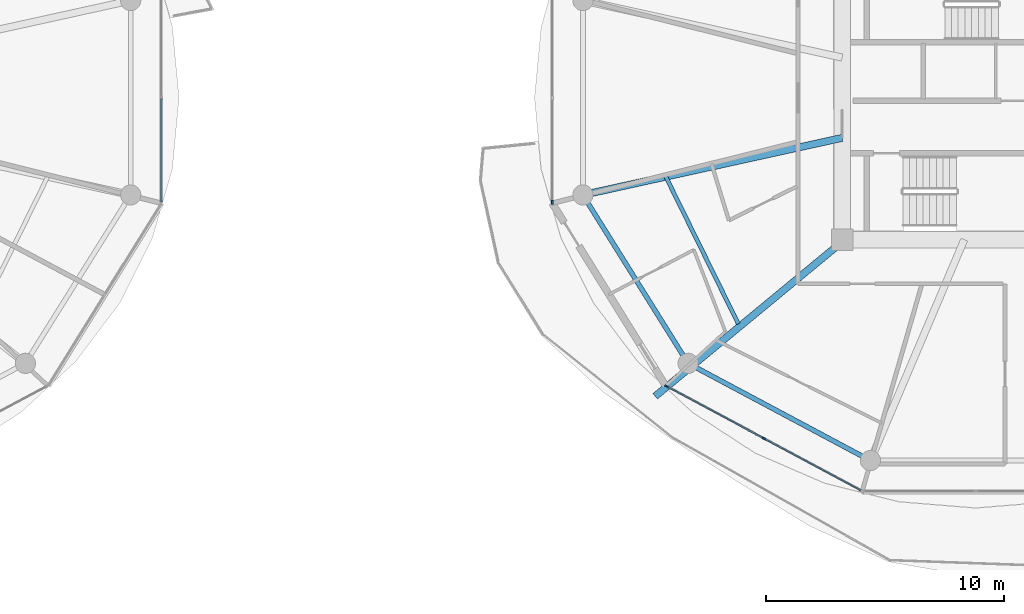
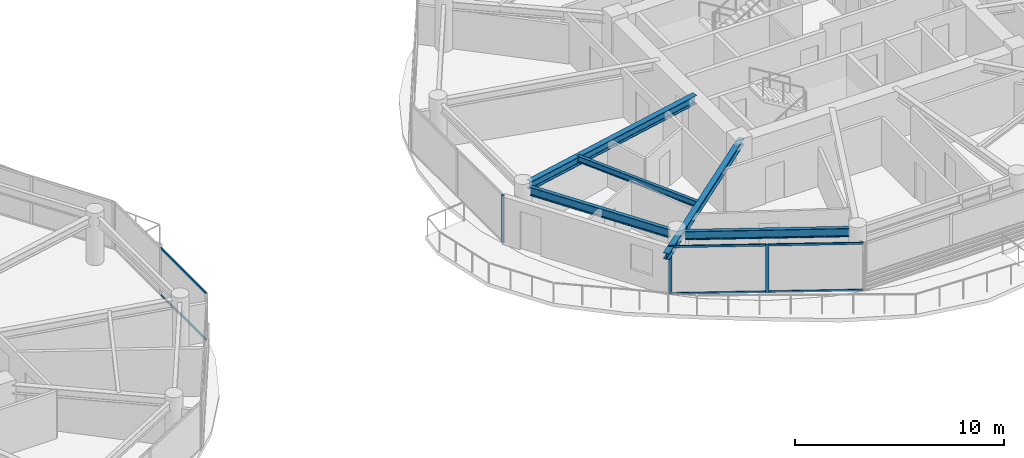
# One storey, part 6 of 23: 9 members, 5 beams, 3 elements without a shape of their own.
"""IFC4 building model written with IfcOpenShell, lengths in metres."""

from ifc_helpers import new_model, si_unit, direction, frame, origin, origin_2d, place, context, subcontext, project, spatial, rectangle, i_section, extrude, source, transform, mapped, material, layer, layer_set, material_profile, profile_set, type_object, type_shapes, element, aggregate, save


model = new_model("IFC4")

# Units and contexts
model_context = context("Model", 3, precision=1e-05, world=origin(), true_north=direction((0.0, 1.0)))
body_context = subcontext(model_context, "Body", "Model", "MODEL_VIEW")
ifc_project = project(units=[si_unit("LENGTHUNIT", "METRE"), si_unit("AREAUNIT", "SQUARE_METRE"), si_unit("VOLUMEUNIT", "CUBIC_METRE"), si_unit("PLANEANGLEUNIT", "RADIAN"), si_unit("MASSUNIT", "GRAM", prefix="KILO")], contexts=[model_context])

# Site, building, storey
site_placement = place(None, origin())
site = spatial("IfcSite", under=ifc_project, at=site_placement, CompositionType="ELEMENT")
building_placement = place(site_placement, origin())
building = spatial("IfcBuilding", under=site, at=building_placement, Name="Norrkilde Senior Care Towers", CompositionType="ELEMENT")
storey_placement = place(building_placement, frame((0.0, 0.0, 81.0)))
storey = spatial("IfcBuildingStorey", under=building, at=storey_placement, Name="L24", CompositionType="ELEMENT", Elevation=81.0)

# Beams
ifc_material_1 = material(Name="Steel S355", Category="steel")
ifc_material_profile_1 = material_profile(ifc_material_1, i_section(OverallWidth=0.199951171875, OverallDepth=0.5, WebThickness=0.01025390625, FlangeThickness=0.01611328125, FilletRadius=0.02099609375, at=origin_2d()), Name="IPE 500")
ifc_profile_set_1 = profile_set([ifc_material_profile_1], Name="Steel S355")
beam_type_1 = type_object("IfcBeamType", Name="Perimeter Ring Spandrel Z2 IPE500", PredefinedType="SPANDREL", material=ifc_profile_set_1)
shared_shape_1 = source(origin(), body_context, "Body", "SweptSolid", [
    extrude(i_section(OverallWidth=0.199951171875, OverallDepth=0.5, WebThickness=0.01025390625, FlangeThickness=0.01611328125, FilletRadius=0.02099609375, at=origin_2d()), origin(), (0.0, 0.0, 1.0), 7.55615234375),
])
beam_1_placement = place(storey_placement, frame((9.68505859375, -4.40283203125, 2.5400390625), z_axis=(0.529981514254, -0.848009194849, 0.0), x_axis=(0.848009194849, 0.529981514254, 0.0)))
element("IfcBeam", 1, at=beam_1_placement, inside=storey, type_object=beam_type_1, Name="L24 Drum E Perimeter Spandrel 07", PredefinedType="SPANDREL", context=body_context, shape_type="MappedRepresentation", body=[
    mapped(shared_shape_1, transform((0.0, 0.0, 0.0), x_axis=(1.0, 0.0, 0.0), y_axis=(0.0, 1.0, 0.0), z_axis=(0.0, 0.0, 1.0), scale=1.0)),
])
ifc_material_profile_2 = material_profile(ifc_material_1, i_section(OverallWidth=0.300048828125, OverallDepth=0.5, WebThickness=0.014404296875, FlangeThickness=0.028076171875, FilletRadius=0.027099609375, at=origin_2d()), Name="HEB 500")
ifc_profile_set_2 = profile_set([ifc_material_profile_2], Name="Steel S355")
beam_type_2 = type_object("IfcBeamType", Name="Radial Floor Beam Z2 HEB500", PredefinedType="BEAM", material=ifc_profile_set_2)
shared_shape_2 = source(origin(), body_context, "Body", "SweptSolid", [
    extrude(i_section(OverallWidth=0.300048828125, OverallDepth=0.5, WebThickness=0.014404296875, FlangeThickness=0.028076171875, FilletRadius=0.027099609375, at=origin_2d()), origin(), (0.0, 0.0, 1.0), 10.744384765625),
])
type_shapes(beam_type_2, [shared_shape_2])
beam_2_placement = place(storey_placement, frame((20.35009765625, -1.683837890625, 2.5400390625), z_axis=(-0.976618711422, -0.214978818724, 0.0), x_axis=(0.214978818724, -0.976618711422, 0.0)))
element("IfcBeam", 2, at=beam_2_placement, inside=storey, type_object=beam_type_2, Name="L24 Drum E Radial Floor Beam 07", PredefinedType="BEAM", context=body_context, shape_type="MappedRepresentation", body=[
    mapped(shared_shape_2, transform((0.0, 0.0, 0.0), x_axis=(1.0, 0.0, 0.0), y_axis=(0.0, 1.0, 0.0), z_axis=(0.0, 0.0, 1.0), scale=1.0)),
])
shared_shape_3 = source(origin(), body_context, "Body", "SweptSolid", [
    extrude(i_section(OverallWidth=0.199951171875, OverallDepth=0.5, WebThickness=0.01025390625, FlangeThickness=0.01611328125, FilletRadius=0.02099609375, at=origin_2d()), origin(), (0.0, 0.0, 1.0), 7.892333984375),
])
type_shapes(beam_type_1, [shared_shape_1, shared_shape_3])
beam_3_placement = place(storey_placement, frame((14.233642578125, -11.318115234375, 2.5400390625), z_axis=(0.882350372282, -0.47059305194, 0.0), x_axis=(0.47059305194, 0.882350372282, 0.0)))
element("IfcBeam", 3, at=beam_3_placement, inside=storey, type_object=beam_type_1, Name="L24 Drum E Perimeter Spandrel 08", PredefinedType="SPANDREL", context=body_context, shape_type="MappedRepresentation", body=[
    mapped(shared_shape_3, transform((0.0, 0.0, 0.0), x_axis=(1.0, 0.0, 0.0), y_axis=(0.0, 1.0, 0.0), z_axis=(0.0, 0.0, 1.0), scale=1.0)),
])
ifc_material_profile_3 = material_profile(ifc_material_1, i_section(OverallWidth=0.169921875, OverallDepth=0.360107421875, WebThickness=0.008056640625, FlangeThickness=0.0126953125, FilletRadius=0.01806640625, at=origin_2d()), Name="IPE 360")
ifc_profile_set_3 = profile_set([ifc_material_profile_3], Name="Steel S355")
beam_type_3 = type_object("IfcBeamType", Name="Secondary Floor Joist IPE360", PredefinedType="JOIST", material=ifc_profile_set_3)
shared_shape_4 = source(origin(), body_context, "Body", "SweptSolid", [
    extrude(i_section(OverallWidth=0.169921875, OverallDepth=0.360107421875, WebThickness=0.008056640625, FlangeThickness=0.0126953125, FilletRadius=0.01806640625, at=origin_2d()), origin(), (0.0, 0.0, 1.0), 6.87353515625),
])
type_shapes(beam_type_3, [shared_shape_4])
beam_4_placement = place(storey_placement, frame((12.958984375, -3.310791015625, 2.610107421875), z_axis=(0.44184939592, -0.897089243791, 0.0), x_axis=(0.897089243791, 0.44184939592, 0.0)))
element("IfcBeam", 4, at=beam_4_placement, inside=storey, type_object=beam_type_3, Name="L24 Drum E Secondary Floor Joist 3", PredefinedType="JOIST", context=body_context, shape_type="MappedRepresentation", body=[
    mapped(shared_shape_4, transform((0.0, 0.0, 0.0), x_axis=(1.0, 0.0, 0.0), y_axis=(0.0, 1.0, 0.0), z_axis=(0.0, 0.0, 1.0), scale=1.0)),
])
ifc_material_profile_4 = material_profile(ifc_material_1, i_section(OverallWidth=0.300048828125, OverallDepth=0.360107421875, WebThickness=0.012451171875, FlangeThickness=0.0224609375, FilletRadius=0.027099609375, at=origin_2d()), Name="HEB 360")
ifc_profile_set_4 = profile_set([ifc_material_profile_4], Name="Steel S355")
beam_type_4 = type_object("IfcBeamType", Name="Balcony Crest Cantilever Rib HEB360", PredefinedType="BEAM", material=ifc_profile_set_4)
shared_shape_5 = source(origin(), body_context, "Body", "SweptSolid", [
    extrude(i_section(OverallWidth=0.300048828125, OverallDepth=0.360107421875, WebThickness=0.012451171875, FlangeThickness=0.0224609375, FilletRadius=0.027099609375, at=origin_2d()), origin(), (0.0, 0.0, 1.0), 10.309814453125),
])
type_shapes(beam_type_4, [shared_shape_5])
beam_5_placement = place(storey_placement, frame((20.463623046875, -5.949951171875, 2.610107421875), z_axis=(-0.770981972586, -0.636856968202, 0.0), x_axis=(0.636856968202, -0.770981972586, 0.0)))
element("IfcBeam", 5, at=beam_5_placement, inside=storey, type_object=beam_type_4, Name="L24 Drum E Balcony Cantilever Rib", PredefinedType="BEAM", context=body_context, shape_type="MappedRepresentation", body=[
    mapped(shared_shape_5, transform((0.0, 0.0, 0.0), x_axis=(1.0, 0.0, 0.0), y_axis=(0.0, 1.0, 0.0), z_axis=(0.0, 0.0, 1.0), scale=1.0)),
])

# Curtain wall, member
ifc_material_2 = material(Name="Triple Low-E Insulated Glazing", Category="glass")
ifc_layer = layer(ifc_material_2, 0.195068359375)
ifc_layer_set = layer_set([ifc_layer], Name="Triple Low-E Insulated Glazing")
curtain_wall_type = type_object("IfcCurtainWallType", Name="CW3 Zone 2 Assisted Living Curtain Wall", PredefinedType="NOTDEFINED", material=ifc_layer_set)
curtain_wall_1_placement = place(storey_placement, origin())
curtain_wall_1 = element("IfcCurtainWall", 6, at=curtain_wall_1_placement, inside=storey, type_object=curtain_wall_type, Name="L24 Drum E Curtain Wall 05", PredefinedType="NOTDEFINED")
ifc_material_3 = material(Name="Anodised Aluminium", Category="aluminium")
ifc_material_profile_5 = material_profile(ifc_material_3, rectangle(XDim=0.06494140625, YDim=0.159912109375, at=origin_2d()), Name="ALU MULL 65x160")
ifc_profile_set_5 = profile_set([ifc_material_profile_5], Name="Anodised Aluminium")
member_type_1 = type_object("IfcMemberType", Name="Curtain Wall Mullion Z1-Z2 65x160", PredefinedType="MULLION", material=ifc_profile_set_5)
shared_shape_6 = source(origin(), body_context, "Body", "SweptSolid", [
    extrude(rectangle(XDim=0.06494140625, YDim=0.159912109375, at=origin_2d()), origin(), (0.0, 0.0, 1.0), 2.7900390625),
])
type_shapes(member_type_1, [shared_shape_6])
member_1_placement = place(storey_placement, frame((8.1962890625, -4.38818359375, 0.0), z_axis=(0.0, 0.0, 1.0), x_axis=(-1.0, 0.0, 0.0)))
member_1 = element("IfcMember", 7, at=member_1_placement, type_object=member_type_1, Name="CW-3 mullion 1", PredefinedType="MULLION", context=body_context, shape_type="MappedRepresentation", body=[
    mapped(shared_shape_6, transform((0.0, 0.0, 0.0), x_axis=(1.0, 0.0, 0.0), y_axis=(0.0, 1.0, 0.0), z_axis=(0.0, 0.0, 1.0), scale=1.0)),
])
aggregate(curtain_wall_1, [member_1])

# Curtain wall, members
curtain_wall_2_placement = place(storey_placement, origin())
curtain_wall_2 = element("IfcCurtainWall", 8, at=curtain_wall_2_placement, inside=storey, type_object=curtain_wall_type, Name="L24 Drum E Curtain Wall 07", PredefinedType="NOTDEFINED")
member_2_placement = place(storey_placement, frame((17.0732421875, -14.28759765625, 0.0), z_axis=(0.0, 0.0, 1.0), x_axis=(-0.472769402511, -0.881186184668, 0.0)))
member_2 = element("IfcMember", 9, at=member_2_placement, type_object=member_type_1, Name="CW-3 mullion 2", PredefinedType="MULLION", context=body_context, shape_type="MappedRepresentation", body=[
    mapped(shared_shape_6, transform((0.0, 0.0, 0.0), x_axis=(1.0, 0.0, 0.0), y_axis=(0.0, 1.0, 0.0), z_axis=(0.0, 0.0, 1.0), scale=1.0)),
])
member_3_placement = place(storey_placement, frame((12.98193359375, -12.0927734375, 0.0), z_axis=(0.0, 0.0, 1.0), x_axis=(-0.472769402511, -0.881186184668, 0.0)))
member_3 = element("IfcMember", 10, at=member_3_placement, type_object=member_type_1, Name="CW-3 mullion 3", PredefinedType="MULLION", context=body_context, shape_type="MappedRepresentation", body=[
    mapped(shared_shape_6, transform((0.0, 0.0, 0.0), x_axis=(1.0, 0.0, 0.0), y_axis=(0.0, 1.0, 0.0), z_axis=(0.0, 0.0, 1.0), scale=1.0)),
])
ifc_material_profile_6 = material_profile(ifc_material_3, rectangle(XDim=0.06005859375, YDim=0.1201171875, at=origin_2d()), Name="ALU TRAN 60x120")
ifc_profile_set_6 = profile_set([ifc_material_profile_6], Name="Anodised Aluminium")
member_type_2 = type_object("IfcMemberType", Name="Curtain Wall Transom Typical 60x120", PredefinedType="USERDEFINED", material=ifc_profile_set_6)
shared_shape_7 = source(origin(), body_context, "Body", "SweptSolid", [
    extrude(rectangle(XDim=0.06005859375, YDim=0.1201171875, at=origin_2d()), origin(), (0.0, 0.0, 1.0), 4.57763671875),
])
member_4_placement = place(storey_placement, frame((17.04443359375, -14.272216796875, 0.030029296875), z_axis=(-0.881192784018, 0.472757101897, 0.0), x_axis=(-0.472757101897, -0.881192784018, 0.0)))
member_4 = element("IfcMember", 11, at=member_4_placement, type_object=member_type_2, Name="CW-3 transom 2.1", ObjectType="TRANSOM", PredefinedType="USERDEFINED", context=body_context, shape_type="MappedRepresentation", body=[
    mapped(shared_shape_7, transform((0.0, 0.0, 0.0), x_axis=(1.0, 0.0, 0.0), y_axis=(0.0, 1.0, 0.0), z_axis=(0.0, 0.0, 1.0), scale=1.0)),
])
member_5_placement = place(storey_placement, frame((17.04443359375, -14.272216796875, 2.760009765625), z_axis=(-0.881192784018, 0.472757101897, 0.0), x_axis=(-0.472757101897, -0.881192784018, 0.0)))
member_5 = element("IfcMember", 12, at=member_5_placement, type_object=member_type_2, Name="CW-3 transom 2.2", ObjectType="TRANSOM", PredefinedType="USERDEFINED", context=body_context, shape_type="MappedRepresentation", body=[
    mapped(shared_shape_7, transform((0.0, 0.0, 0.0), x_axis=(1.0, 0.0, 0.0), y_axis=(0.0, 1.0, 0.0), z_axis=(0.0, 0.0, 1.0), scale=1.0)),
])
shared_shape_8 = source(origin(), body_context, "Body", "SweptSolid", [
    extrude(rectangle(XDim=0.06005859375, YDim=0.1201171875, at=origin_2d()), origin(), (0.0, 0.0, 1.0), 4.577880859375),
])
member_6_placement = place(storey_placement, frame((21.1357421875, -16.46728515625, 0.030029296875), z_axis=(-0.881182486146, 0.472776296053, 0.0), x_axis=(-0.472776296053, -0.881182486146, 0.0)))
member_6 = element("IfcMember", 13, at=member_6_placement, type_object=member_type_2, Name="CW-3 transom 1.1", ObjectType="TRANSOM", PredefinedType="USERDEFINED", context=body_context, shape_type="MappedRepresentation", body=[
    mapped(shared_shape_8, transform((0.0, 0.0, 0.0), x_axis=(1.0, 0.0, 0.0), y_axis=(0.0, 1.0, 0.0), z_axis=(0.0, 0.0, 1.0), scale=1.0)),
])
member_7_placement = place(storey_placement, frame((21.1357421875, -16.46728515625, 2.760009765625), z_axis=(-0.881182486146, 0.472776296053, 0.0), x_axis=(-0.472776296053, -0.881182486146, 0.0)))
member_7 = element("IfcMember", 14, at=member_7_placement, type_object=member_type_2, Name="CW-3 transom 1.2", ObjectType="TRANSOM", PredefinedType="USERDEFINED", context=body_context, shape_type="MappedRepresentation", body=[
    mapped(shared_shape_8, transform((0.0, 0.0, 0.0), x_axis=(1.0, 0.0, 0.0), y_axis=(0.0, 1.0, 0.0), z_axis=(0.0, 0.0, 1.0), scale=1.0)),
])
aggregate(curtain_wall_2, [member_2, member_3, member_6, member_7, member_4, member_5])

curtain_wall_3_placement = place(storey_placement, origin())
curtain_wall_3 = element("IfcCurtainWall", 15, at=curtain_wall_3_placement, inside=storey, type_object=curtain_wall_type, Name="L24 Drum W Curtain Wall 11", PredefinedType="NOTDEFINED")
shared_shape_9 = source(origin(), body_context, "Body", "SweptSolid", [
    extrude(rectangle(XDim=0.06005859375, YDim=0.1201171875, at=origin_2d()), origin(), (0.0, 0.0, 1.0), 4.3232421875),
])
type_shapes(member_type_2, [shared_shape_7, shared_shape_8, shared_shape_9])
member_8_placement = place(storey_placement, frame((-8.1962890625, -0.032470703125, 0.030029296875), z_axis=(0.0, -1.0, 0.0), x_axis=(1.0, 0.0, 0.0)))
member_8 = element("IfcMember", 16, at=member_8_placement, type_object=member_type_2, Name="CW-3 transom 2.1", ObjectType="TRANSOM", PredefinedType="USERDEFINED", context=body_context, shape_type="MappedRepresentation", body=[
    mapped(shared_shape_9, transform((0.0, 0.0, 0.0), x_axis=(1.0, 0.0, 0.0), y_axis=(0.0, 1.0, 0.0), z_axis=(0.0, 0.0, 1.0), scale=1.0)),
])
member_9_placement = place(storey_placement, frame((-8.1962890625, -0.032470703125, 2.760009765625), z_axis=(0.0, -1.0, 0.0), x_axis=(1.0, 0.0, 0.0)))
member_9 = element("IfcMember", 17, at=member_9_placement, type_object=member_type_2, Name="CW-3 transom 2.2", ObjectType="TRANSOM", PredefinedType="USERDEFINED", context=body_context, shape_type="MappedRepresentation", body=[
    mapped(shared_shape_9, transform((0.0, 0.0, 0.0), x_axis=(1.0, 0.0, 0.0), y_axis=(0.0, 1.0, 0.0), z_axis=(0.0, 0.0, 1.0), scale=1.0)),
])
aggregate(curtain_wall_3, [member_8, member_9])

save(model, "model.ifc")
